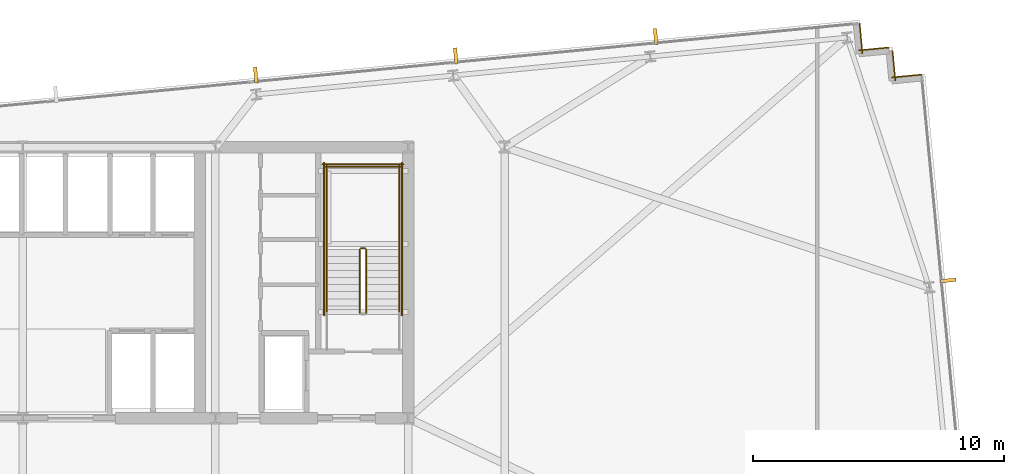
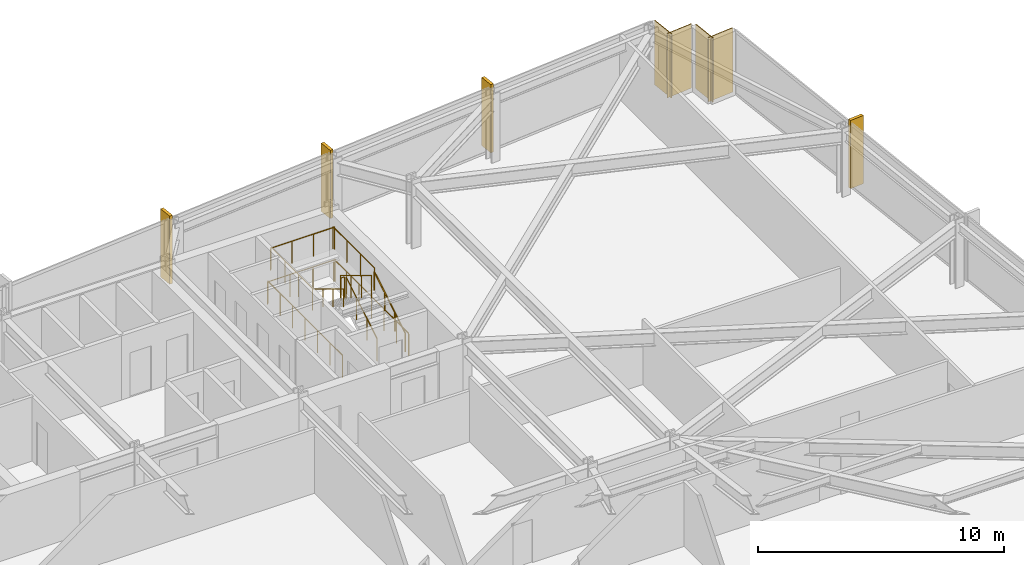
# One storey, part 32 of 32: 11 railings, 4 coverings, 4 shading devices.
"""IFC4 building model written with IfcOpenShell, lengths in metres."""

from ifc_helpers import new_model, si_unit, direction, frame, frame_2d, origin, origin_2d, place, context, subcontext, project, spatial, rectangle, circle, extrude, material, layer, layer_set, type_object, element, save


model = new_model("IFC4")

# Units and contexts
model_context = context("Model", 3, precision=1e-05, world=origin(), true_north=direction((0.0, 1.0)))
body_context = subcontext(model_context, "Body", "Model", "MODEL_VIEW")
ifc_project = project(units=[si_unit("LENGTHUNIT", "METRE"), si_unit("AREAUNIT", "SQUARE_METRE"), si_unit("VOLUMEUNIT", "CUBIC_METRE"), si_unit("PLANEANGLEUNIT", "RADIAN"), si_unit("MASSUNIT", "GRAM", prefix="KILO")], contexts=[model_context])

# Site, building, storey
site_placement = place(None, origin())
site = spatial("IfcSite", under=ifc_project, at=site_placement, CompositionType="ELEMENT")
building_placement = place(site_placement, origin())
building = spatial("IfcBuilding", under=site, at=building_placement, Name="Yelkora Congress Tower", CompositionType="ELEMENT")
storey_placement = place(building_placement, frame((0.0, 0.0, 96.5)))
storey = spatial("IfcBuildingStorey", under=building, at=storey_placement, Name="L25", CompositionType="ELEMENT", Elevation=96.5)

# Coverings
ifc_material_1 = material(Name="Anatolian bush-hammered limestone", Category="masonry")
ifc_layer_1 = layer(ifc_material_1, 0.0400390625)
ifc_layer_set_1 = layer_set([ifc_layer_1], Name="Anatolian bush-hammered limestone")
covering_type = type_object("IfcCoveringType", Name="COV-CLAD-SPANDREL-40", PredefinedType="CLADDING", material=ifc_layer_set_1)
for number, where, z_axis, x_axis, name in (
    (1, (71.74609375, 51.1279296875, 0.0), (0.0, 0.0, 1.0), (0.095817067274, -0.995398960025, 0.0), "L25 Anatolian Limestone Cladding EW-L25-SR11"),
    (2, (71.7138671875, 50.0546875, 0.0), (0.0, 0.0, 1.0), (0.995379537303, 0.096018626938, 0.0), "L25 Anatolian Limestone Cladding EW-L25-SR12"),
):
    element("IfcCovering", number, at=place(storey_placement, frame(where, z_axis=z_axis, x_axis=x_axis)), inside=storey, type_object=covering_type, Name=name, PredefinedType="CLADDING", context=body_context, shape_type="SweptSolid", body=[
        extrude(rectangle(XDim=1.2001953125, YDim=0.0400390625, at=frame_2d((0.60009765625, 0.0))), origin(), (0.0, 0.0, 1.0), 3.179931640625),
    ])
covering_1_placement = place(storey_placement, frame((73.0556640625, 50.04833984375, 0.0), z_axis=(0.0, 0.0, 1.0), x_axis=(0.095836473879, -0.995397091755, 0.0)))
element("IfcCovering", 3, at=covering_1_placement, inside=storey, type_object=covering_type, Name="L25 Anatolian Limestone Cladding EW-L25-SR13", PredefinedType="CLADDING", context=body_context, shape_type="SweptSolid", body=[
    extrude(rectangle(XDim=1.199951171875, YDim=0.0400390625, at=frame_2d((0.60009765625, 0.0))), origin(), (0.0, 0.0, 1.0), 3.179931640625),
])
covering_2_placement = place(storey_placement, frame((73.0234375, 48.975341796875, 0.0), z_axis=(0.0, 0.0, 1.0), x_axis=(0.995398960025, 0.095817067274, 0.0)))
element("IfcCovering", 4, at=covering_2_placement, inside=storey, type_object=covering_type, Name="L25 Anatolian Limestone Cladding EW-L25-SR14", PredefinedType="CLADDING", context=body_context, shape_type="SweptSolid", body=[
    extrude(rectangle(XDim=1.2001953125, YDim=0.0400390625, at=frame_2d((0.60009765625, 0.0))), origin(), (0.0, 0.0, 1.0), 3.179931640625),
])

# Railings
ifc_material_2 = material(Name="Painted galvanised steel stair well guard with vertical infill", Category="steel")
ifc_layer_2 = layer(ifc_material_2, 0.06005859375)
ifc_layer_set_2 = layer_set([ifc_layer_2], Name="Painted galvanised steel stair well guard with vertical infill")
railing_type_1 = type_object("IfcRailingType", Name="RAIL-STAIR-GUARD-1120", PredefinedType="GUARDRAIL", material=ifc_layer_set_2)
railing_1_placement = place(storey_placement, frame((52.090087890625, 39.60009765625, 0.169921875)))
element("IfcRailing", 5, at=railing_1_placement, inside=storey, type_object=railing_type_1, Name="ST-02 L25 Stair Well Guardrail 1", PredefinedType="GUARDRAIL", context=body_context, shape_type="SweptSolid", body=[
    extrude(circle(Radius=0.02392578125, at=origin_2d()), frame((0.0, 0.0, 1.09619140625), z_axis=(0.0, 0.85478489116, 0.518982456201), x_axis=(-1.0, 0.0, 0.0)), (0.0, 0.0, 1.0), 2.9482421875),
    extrude(circle(Radius=0.02099609375, at=origin_2d()), origin(), (0.0, 0.0, 1.0), 1.072021484375),
    extrude(circle(Radius=0.02099609375, at=origin_2d()), frame((0.0, 0.840087890625, 0.510009765625)), (0.0, 0.0, 1.0), 1.072021484375),
    extrude(circle(Radius=0.02099609375, at=origin_2d()), frame((0.0, 1.679931640625, 1.02001953125)), (0.0, 0.0, 1.0), 1.072021484375),
    extrude(circle(Radius=0.02099609375, at=origin_2d()), frame((0.0, 2.52001953125, 1.530029296875)), (0.0, 0.0, 1.0), 1.072021484375),
])
railing_2_placement = place(storey_placement, frame((52.0400390625, 42.169921875, 1.699951171875)))
element("IfcRailing", 6, at=railing_2_placement, inside=storey, type_object=railing_type_1, Name="ST-02 L25 Stair Well Guardrail 2", PredefinedType="GUARDRAIL", context=body_context, shape_type="SweptSolid", body=[
    extrude(circle(Radius=0.02392578125, at=origin_2d()), frame((0.0, 0.0, 1.09619140625), z_axis=(-1.0, 0.0, 0.0), x_axis=(0.0, -1.0, 0.0)), (0.0, 0.0, 1.0), 0.16015625),
    extrude(circle(Radius=0.02099609375, at=origin_2d()), origin(), (0.0, 0.0, 1.0), 1.072021484375),
    extrude(circle(Radius=0.02099609375, at=origin_2d()), frame((-0.16015625, 0.0, 0.0)), (0.0, 0.0, 1.0), 1.072021484375),
])
for number, where, name in (
    (7, (53.409912109375, 42.1201171875, 1.699951171875), "ST-02 L25 Stair Well Guardrail 3"),
    (8, (50.510009765625, 42.1201171875, 1.699951171875), "ST-02 L25 Stair Well Guardrail 4"),
):
    element("IfcRailing", number, at=place(storey_placement, frame(where)), inside=storey, type_object=railing_type_1, Name=name, PredefinedType="GUARDRAIL", context=body_context, shape_type="SweptSolid", body=[
        extrude(circle(Radius=0.02392578125, at=origin_2d()), frame((0.0, 0.0, 1.09619140625), z_axis=(0.0, 1.0, 0.0), x_axis=(-1.0, 0.0, 0.0)), (0.0, 0.0, 1.0), 3.349853515625),
        extrude(circle(Radius=0.02099609375, at=origin_2d()), origin(), (0.0, 0.0, 1.0), 1.072021484375),
        extrude(circle(Radius=0.02099609375, at=origin_2d()), frame((0.0, 1.11669921875, 0.0)), (0.0, 0.0, 1.0), 1.072021484375),
        extrude(circle(Radius=0.02099609375, at=origin_2d()), frame((0.0, 2.233154296875, 0.0)), (0.0, 0.0, 1.0), 1.072021484375),
        extrude(circle(Radius=0.02099609375, at=origin_2d()), frame((0.0, 3.349853515625, 0.0)), (0.0, 0.0, 1.0), 1.072021484375),
    ])
railing_3_placement = place(storey_placement, frame((53.4599609375, 45.419921875, 1.699951171875)))
element("IfcRailing", 9, at=railing_3_placement, inside=storey, type_object=railing_type_1, Name="ST-02 L25 Stair Well Guardrail 5", PredefinedType="GUARDRAIL", context=body_context, shape_type="SweptSolid", body=[
    extrude(circle(Radius=0.02392578125, at=origin_2d()), frame((0.0, 0.0, 1.09619140625), z_axis=(-1.0, 0.0, 0.0), x_axis=(0.0, -1.0, 0.0)), (0.0, 0.0, 1.0), 3.0),
    extrude(circle(Radius=0.02099609375, at=origin_2d()), origin(), (0.0, 0.0, 1.0), 1.072021484375),
    extrude(circle(Radius=0.02099609375, at=origin_2d()), frame((-1.0, 0.0, 0.0)), (0.0, 0.0, 1.0), 1.072021484375),
    extrude(circle(Radius=0.02099609375, at=origin_2d()), frame((-2.0, 0.0, 0.0)), (0.0, 0.0, 1.0), 1.072021484375),
    extrude(circle(Radius=0.02099609375, at=origin_2d()), frame((-3.0, 0.0, 0.0)), (0.0, 0.0, 1.0), 1.072021484375),
])
railing_4_placement = place(storey_placement, frame((51.830078125, 42.1201171875, 1.8701171875)))
element("IfcRailing", 10, at=railing_4_placement, inside=storey, type_object=railing_type_1, Name="ST-02 L25 Stair Well Guardrail 6", PredefinedType="GUARDRAIL", context=body_context, shape_type="SweptSolid", body=[
    extrude(circle(Radius=0.02392578125, at=origin_2d()), frame((0.0, 0.0, 1.09619140625), z_axis=(0.0, -0.854821627497, 0.518921945155), x_axis=(1.0, 0.0, 0.0)), (0.0, 0.0, 1.0), 2.947998046875),
    extrude(circle(Radius=0.02099609375, at=origin_2d()), origin(), (0.0, 0.0, 1.0), 1.072021484375),
    extrude(circle(Radius=0.02099609375, at=origin_2d()), frame((0.0, -0.840087890625, 0.510009765625)), (0.0, 0.0, 1.0), 1.072021484375),
    extrude(circle(Radius=0.02099609375, at=origin_2d()), frame((0.0, -1.679931640625, 1.019775390625)), (0.0, 0.0, 1.0), 1.072021484375),
    extrude(circle(Radius=0.02099609375, at=origin_2d()), frame((0.0, -2.52001953125, 1.52978515625)), (0.0, 0.0, 1.0), 1.072021484375),
])
for number, where, name in (
    (11, (53.510009765625, 39.5, 0.0), "ST-02 L25 Stair Well Guardrail 10"),
    (12, (50.409912109375, 39.5, 0.0), "ST-02 L25 Stair Well Guardrail 11"),
):
    element("IfcRailing", number, at=place(storey_placement, frame(where)), inside=storey, type_object=railing_type_1, Name=name, PredefinedType="GUARDRAIL", context=body_context, shape_type="SweptSolid", body=[
        extrude(circle(Radius=0.02392578125, at=origin_2d()), frame((0.0, 0.0, 1.09619140625), z_axis=(0.0, 1.0, 0.0), x_axis=(-1.0, 0.0, 0.0)), (0.0, 0.0, 1.0), 6.070068359375),
        extrude(circle(Radius=0.02099609375, at=origin_2d()), origin(), (0.0, 0.0, 1.0), 1.072021484375),
        extrude(circle(Radius=0.02099609375, at=origin_2d()), frame((0.0, 1.01171875, 0.0)), (0.0, 0.0, 1.0), 1.072021484375),
        extrude(circle(Radius=0.02099609375, at=origin_2d()), frame((0.0, 2.0234375, 0.0)), (0.0, 0.0, 1.0), 1.072021484375),
        extrude(circle(Radius=0.02099609375, at=origin_2d()), frame((0.0, 3.03515625, 0.0)), (0.0, 0.0, 1.0), 1.072021484375),
        extrude(circle(Radius=0.02099609375, at=origin_2d()), frame((0.0, 4.046630859375, 0.0)), (0.0, 0.0, 1.0), 1.072021484375),
        extrude(circle(Radius=0.02099609375, at=origin_2d()), frame((0.0, 5.058349609375, 0.0)), (0.0, 0.0, 1.0), 1.072021484375),
        extrude(circle(Radius=0.02099609375, at=origin_2d()), frame((0.0, 6.070068359375, 0.0)), (0.0, 0.0, 1.0), 1.072021484375),
    ])
railing_5_placement = place(storey_placement, frame((53.56005859375, 45.52001953125, 0.0)))
element("IfcRailing", 13, at=railing_5_placement, inside=storey, type_object=railing_type_1, Name="ST-02 L25 Stair Well Guardrail 12", PredefinedType="GUARDRAIL", context=body_context, shape_type="SweptSolid", body=[
    extrude(circle(Radius=0.02392578125, at=origin_2d()), frame((0.0, 0.0, 1.09619140625), z_axis=(-1.0, 0.0, 0.0), x_axis=(0.0, -1.0, 0.0)), (0.0, 0.0, 1.0), 3.199951171875),
    extrude(circle(Radius=0.02099609375, at=origin_2d()), origin(), (0.0, 0.0, 1.0), 1.072021484375),
    extrude(circle(Radius=0.02099609375, at=origin_2d()), frame((-1.066650390625, 0.0, 0.0)), (0.0, 0.0, 1.0), 1.072021484375),
    extrude(circle(Radius=0.02099609375, at=origin_2d()), frame((-2.13330078125, 0.0, 0.0)), (0.0, 0.0, 1.0), 1.072021484375),
    extrude(circle(Radius=0.02099609375, at=origin_2d()), frame((-3.199951171875, 0.0, 0.0)), (0.0, 0.0, 1.0), 1.072021484375),
])
ifc_material_3 = material(Name="Brushed stainless steel tubular handrail", Category="steel")
ifc_layer_3 = layer(ifc_material_3, 0.050048828125)
ifc_layer_set_3 = layer_set([ifc_layer_3], Name="Brushed stainless steel tubular handrail")
railing_type_2 = type_object("IfcRailingType", Name="RAIL-STAIR-HAND-920", PredefinedType="HANDRAIL", material=ifc_layer_set_3)
railing_6_placement = place(storey_placement, frame((53.409912109375, 39.60009765625, 0.169921875)))
element("IfcRailing", 14, at=railing_6_placement, inside=storey, type_object=railing_type_2, Name="ST-02 L25 Pitch Handrail 1", PredefinedType="HANDRAIL", context=body_context, shape_type="SweptSolid", body=[
    extrude(circle(Radius=0.02392578125, at=origin_2d()), frame((0.0, 0.0, 0.89599609375), z_axis=(0.0, 0.85478489116, 0.518982456201), x_axis=(-1.0, 0.0, 0.0)), (0.0, 0.0, 1.0), 2.9482421875),
    extrude(circle(Radius=0.02099609375, at=origin_2d()), origin(), (0.0, 0.0, 1.0), 0.871826171875),
    extrude(circle(Radius=0.02099609375, at=origin_2d()), frame((0.0, 0.840087890625, 0.510009765625)), (0.0, 0.0, 1.0), 0.871826171875),
    extrude(circle(Radius=0.02099609375, at=origin_2d()), frame((0.0, 1.679931640625, 1.02001953125)), (0.0, 0.0, 1.0), 0.871826171875),
    extrude(circle(Radius=0.02099609375, at=origin_2d()), frame((0.0, 2.52001953125, 1.530029296875)), (0.0, 0.0, 1.0), 0.871826171875),
])
railing_7_placement = place(storey_placement, frame((50.510009765625, 42.1201171875, 1.8701171875)))
element("IfcRailing", 15, at=railing_7_placement, inside=storey, type_object=railing_type_2, Name="ST-02 L25 Pitch Handrail 2", PredefinedType="HANDRAIL", context=body_context, shape_type="SweptSolid", body=[
    extrude(circle(Radius=0.02392578125, at=origin_2d()), frame((0.0, 0.0, 0.89599609375), z_axis=(0.0, -0.854821627497, 0.518921945155), x_axis=(1.0, 0.0, 0.0)), (0.0, 0.0, 1.0), 2.947998046875),
    extrude(circle(Radius=0.02099609375, at=origin_2d()), origin(), (0.0, 0.0, 1.0), 0.871826171875),
    extrude(circle(Radius=0.02099609375, at=origin_2d()), frame((0.0, -0.840087890625, 0.510009765625)), (0.0, 0.0, 1.0), 0.871826171875),
    extrude(circle(Radius=0.02099609375, at=origin_2d()), frame((0.0, -1.679931640625, 1.019775390625)), (0.0, 0.0, 1.0), 0.871826171875),
    extrude(circle(Radius=0.02099609375, at=origin_2d()), frame((0.0, -2.52001953125, 1.52978515625)), (0.0, 0.0, 1.0), 0.871826171875),
])

# Shading devices
ifc_material_4 = material(Name="Champagne anodised aluminium", Category="aluminium")
ifc_layer_4 = layer(ifc_material_4, 3.39990234375)
ifc_layer_set_4 = layer_set([ifc_layer_4], Name="Champagne anodised aluminium")
shading_device_type = type_object("IfcShadingDeviceType", Name="SHD-FIN-ALU-640", PredefinedType="USERDEFINED", material=ifc_layer_set_4)
for number, where, z_axis, x_axis, name in (
    (16, (47.68896484375, 49.072509765625, -0.030029296875), (0.0, 0.0, 1.0), (0.995396198367, 0.09584575252, 0.0), "L25 Vertical Anodised Solar Fin 10-4"),
    (17, (55.65478515625, 49.839599609375, -0.030029296875), (0.0, 0.0, 1.0), (0.995396198367, 0.09584575252, 0.0), "L25 Vertical Anodised Solar Fin 10-5"),
    (18, (63.620849609375, 50.606689453125, -0.030029296875), (0.0, 0.0, 1.0), (0.995396198367, 0.09584575252, 0.0), "L25 Vertical Anodised Solar Fin 10-6"),
    (19, (75.268798828125, 40.888427734375, -0.030029296875), (0.0, 0.0, 1.0), (0.09584575252, -0.995396198367, 0.0), "L25 Vertical Anodised Solar Fin 15-1"),
):
    element("IfcShadingDevice", number, at=place(storey_placement, frame(where, z_axis=z_axis, x_axis=x_axis)), inside=storey, type_object=shading_device_type, Name=name, ObjectType="FIN", PredefinedType="USERDEFINED", context=body_context, shape_type="SweptSolid", body=[
        extrude(rectangle(XDim=0.139892578125, YDim=0.639892578125, at=origin_2d()), origin(), (0.0, 0.0, 1.0), 3.3798828125),
    ])

save(model, "model.ifc")
